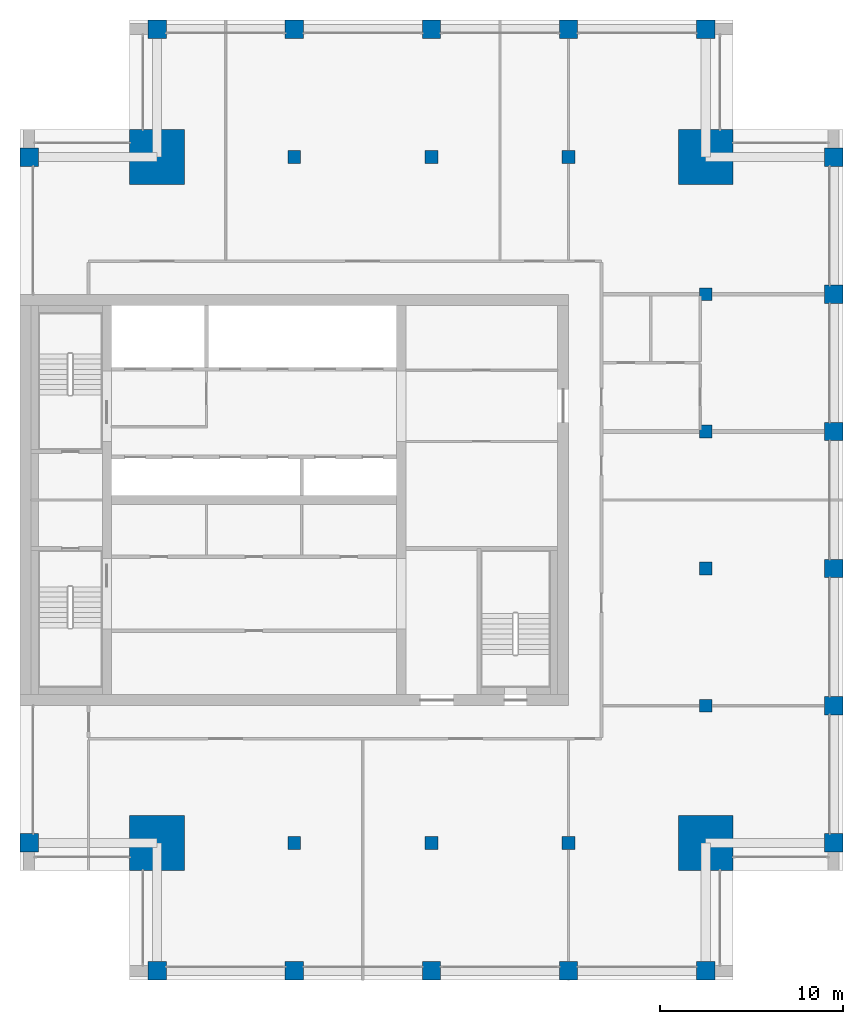
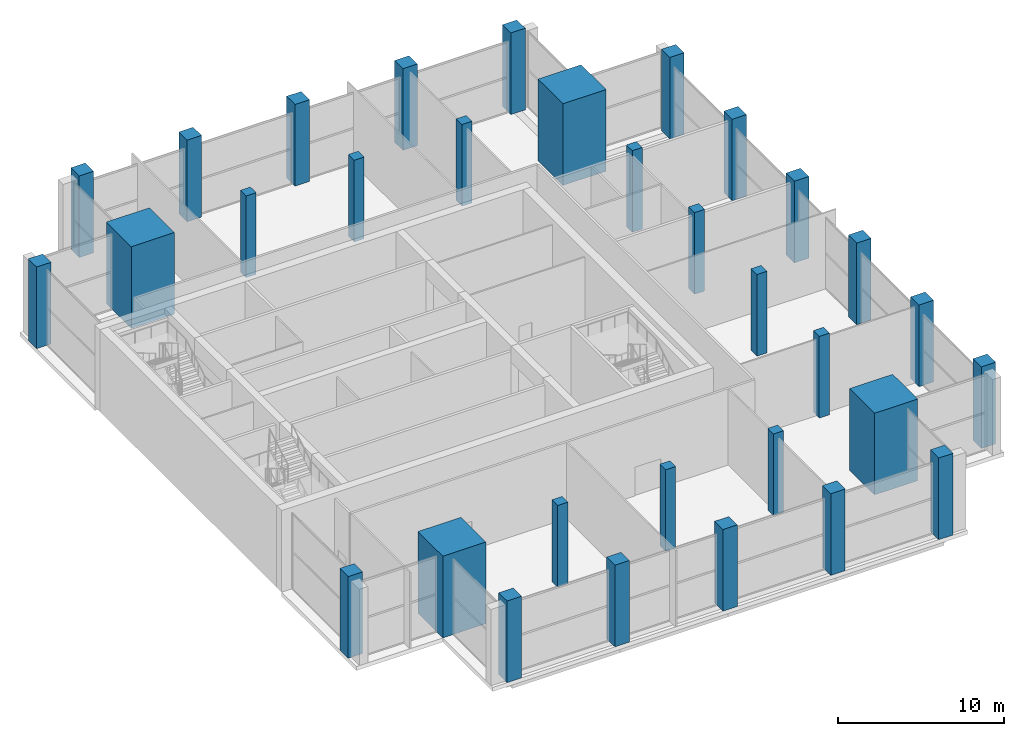
# One storey, part 1 of 15: 32 columns.
"""IFC4 building model written with IfcOpenShell, lengths in metres."""

from ifc_helpers import new_model, si_unit, direction, frame, origin, origin_2d, place, context, subcontext, project, spatial, rectangle, extrude, material, material_profile, profile_set, type_object, element, save


model = new_model("IFC4")

# Units and contexts
model_context = context("Model", 3, precision=1e-05, world=origin(), true_north=direction((0.0, 1.0)))
body_context = subcontext(model_context, "Body", "Model", "MODEL_VIEW")
ifc_project = project(units=[si_unit("LENGTHUNIT", "METRE"), si_unit("AREAUNIT", "SQUARE_METRE"), si_unit("VOLUMEUNIT", "CUBIC_METRE"), si_unit("PLANEANGLEUNIT", "RADIAN"), si_unit("MASSUNIT", "GRAM", prefix="KILO")], contexts=[model_context])

# Site, building, storey
site_placement = place(None, origin())
site = spatial("IfcSite", under=ifc_project, at=site_placement, CompositionType="ELEMENT")
building_placement = place(site_placement, origin())
building = spatial("IfcBuilding", under=site, at=building_placement, Name="Tamorin Gate", CompositionType="ELEMENT")
storey_placement = place(building_placement, frame((0.0, 0.0, 308.699951171875)))
storey = spatial("IfcBuildingStorey", under=building, at=storey_placement, Name="L76", CompositionType="ELEMENT", Elevation=308.699951171875)

# Columns
ifc_material = material(Name="Concrete C50/60", Category="concrete")
ifc_material_profile_1 = material_profile(ifc_material, rectangle(XDim=1.0, YDim=1.0, at=origin_2d()), Name="RC 1000x1000")
ifc_profile_set_1 = profile_set([ifc_material_profile_1], Name="Concrete C50/60")
column_type_1 = type_object("IfcColumnType", Name="RC column 1000x1000 C50/60", PredefinedType="COLUMN", material=ifc_profile_set_1)
for number, where, z_axis, x_axis, name in (
    (1, (30.5, 52.5, 0.0), (0.0, 0.0, 1.0), (1.0, 0.0, 0.0), "Ring column L76"),
    (2, (30.5, 90.0, 0.0), (0.0, 0.0, 1.0), (1.0, 0.0, 0.0), "Ring column L76"),
    (3, (37.5, 45.5, 0.0), (0.0, 0.0, 1.0), (1.0, 0.0, 0.0), "Ring column L76"),
    (4, (37.5, 97.0, 0.0), (0.0, 0.0, 1.0), (1.0, 0.0, 0.0), "Ring column L76"),
    (5, (45.0, 45.5, 0.0), (0.0, 0.0, 1.0), (1.0, 0.0, 0.0), "Ring column L76"),
    (6, (45.0, 97.0, 0.0), (0.0, 0.0, 1.0), (1.0, 0.0, 0.0), "Ring column L76"),
    (7, (52.5, 45.5, 0.0), (0.0, 0.0, 1.0), (1.0, 0.0, 0.0), "Ring column L76"),
    (8, (52.5, 97.0, 0.0), (0.0, 0.0, 1.0), (1.0, 0.0, 0.0), "Ring column L76"),
    (9, (60.0, 45.5, 0.0), (0.0, 0.0, 1.0), (1.0, 0.0, 0.0), "Ring column L76"),
    (10, (60.0, 97.0, 0.0), (0.0, 0.0, 1.0), (1.0, 0.0, 0.0), "Ring column L76"),
    (11, (67.5, 45.5, 0.0), (0.0, 0.0, 1.0), (1.0, 0.0, 0.0), "Ring column L76"),
    (12, (67.5, 97.0, 0.0), (0.0, 0.0, 1.0), (1.0, 0.0, 0.0), "Ring column L76"),
    (13, (74.5, 52.5, 0.0), (0.0, 0.0, 1.0), (1.0, 0.0, 0.0), "Ring column L76"),
    (14, (74.5, 60.0, 0.0), (0.0, 0.0, 1.0), (1.0, 0.0, 0.0), "Ring column L76"),
    (15, (74.5, 67.5, 0.0), (0.0, 0.0, 1.0), (1.0, 0.0, 0.0), "Ring column L76"),
    (16, (74.5, 75.0, 0.0), (0.0, 0.0, 1.0), (1.0, 0.0, 0.0), "Ring column L76"),
    (17, (74.5, 82.5, 0.0), (0.0, 0.0, 1.0), (1.0, 0.0, 0.0), "Ring column L76"),
    (18, (74.5, 90.0, 0.0), (0.0, 0.0, 1.0), (1.0, 0.0, 0.0), "Ring column L76"),
):
    element("IfcColumn", number, at=place(storey_placement, frame(where, z_axis=z_axis, x_axis=x_axis)), inside=storey, type_object=column_type_1, Name=name, PredefinedType="COLUMN", context=body_context, shape_type="SweptSolid", body=[
        extrude(rectangle(XDim=1.0, YDim=1.0, at=origin_2d()), origin(), (0.0, 0.0, 1.0), 6.0),
    ])
ifc_material_profile_2 = material_profile(ifc_material, rectangle(XDim=3.0, YDim=3.0, at=origin_2d()), Name="RC 3000x3000")
ifc_profile_set_2 = profile_set([ifc_material_profile_2], Name="Concrete C50/60")
column_type_2 = type_object("IfcColumnType", Name="RC column 3000x3000 C50/60", PredefinedType="COLUMN", material=ifc_profile_set_2)
for number, where, z_axis, x_axis, name in (
    (19, (37.5, 52.5, 0.0), (0.0, 0.0, 1.0), (1.0, 0.0, 0.0), "Mega column SW L76"),
    (20, (67.5, 52.5, 0.0), (0.0, 0.0, 1.0), (1.0, 0.0, 0.0), "Mega column SE L76"),
    (21, (37.5, 90.0, 0.0), (0.0, 0.0, 1.0), (1.0, 0.0, 0.0), "Mega column NW L76"),
    (22, (67.5, 90.0, 0.0), (0.0, 0.0, 1.0), (1.0, 0.0, 0.0), "Mega column NE L76"),
):
    element("IfcColumn", number, at=place(storey_placement, frame(where, z_axis=z_axis, x_axis=x_axis)), inside=storey, type_object=column_type_2, Name=name, PredefinedType="COLUMN", context=body_context, shape_type="SweptSolid", body=[
        extrude(rectangle(XDim=3.0, YDim=3.0, at=origin_2d()), origin(), (0.0, 0.0, 1.0), 6.0),
    ])
ifc_material_profile_3 = material_profile(ifc_material, rectangle(XDim=0.699951171875, YDim=0.699951171875, at=origin_2d()), Name="RC 700x700")
ifc_profile_set_3 = profile_set([ifc_material_profile_3], Name="Concrete C50/60")
column_type_3 = type_object("IfcColumnType", Name="RC column 700x700 C50/60", PredefinedType="COLUMN", material=ifc_profile_set_3)
for number, where, z_axis, x_axis, name in (
    (23, (45.0, 52.5, 0.0), (0.0, 0.0, 1.0), (1.0, 0.0, 0.0), "Interior column L76"),
    (24, (45.0, 90.0, 0.0), (0.0, 0.0, 1.0), (1.0, 0.0, 0.0), "Interior column L76"),
    (25, (52.5, 52.5, 0.0), (0.0, 0.0, 1.0), (1.0, 0.0, 0.0), "Interior column L76"),
    (26, (52.5, 90.0, 0.0), (0.0, 0.0, 1.0), (1.0, 0.0, 0.0), "Interior column L76"),
    (27, (60.0, 52.5, 0.0), (0.0, 0.0, 1.0), (1.0, 0.0, 0.0), "Interior column L76"),
    (28, (60.0, 90.0, 0.0), (0.0, 0.0, 1.0), (1.0, 0.0, 0.0), "Interior column L76"),
    (29, (67.5, 60.0, 0.0), (0.0, 0.0, 1.0), (1.0, 0.0, 0.0), "Interior column L76"),
    (30, (67.5, 67.5, 0.0), (0.0, 0.0, 1.0), (1.0, 0.0, 0.0), "Interior column L76"),
    (31, (67.5, 75.0, 0.0), (0.0, 0.0, 1.0), (1.0, 0.0, 0.0), "Interior column L76"),
    (32, (67.5, 82.5, 0.0), (0.0, 0.0, 1.0), (1.0, 0.0, 0.0), "Interior column L76"),
):
    element("IfcColumn", number, at=place(storey_placement, frame(where, z_axis=z_axis, x_axis=x_axis)), inside=storey, type_object=column_type_3, Name=name, PredefinedType="COLUMN", context=body_context, shape_type="SweptSolid", body=[
        extrude(rectangle(XDim=0.699951171875, YDim=0.699951171875, at=origin_2d()), origin(), (0.0, 0.0, 1.0), 6.0),
    ])

save(model, "model.ifc")
